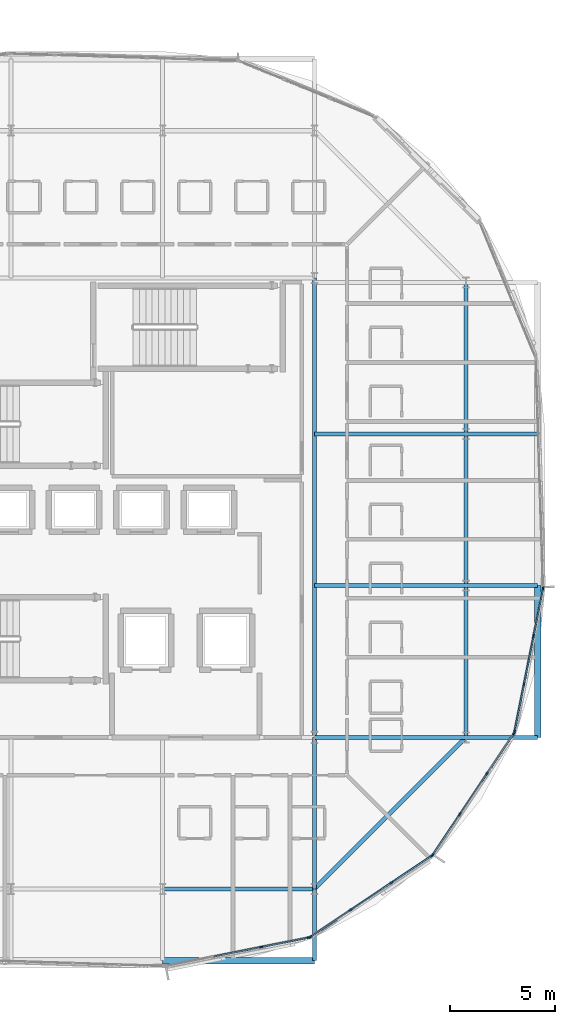
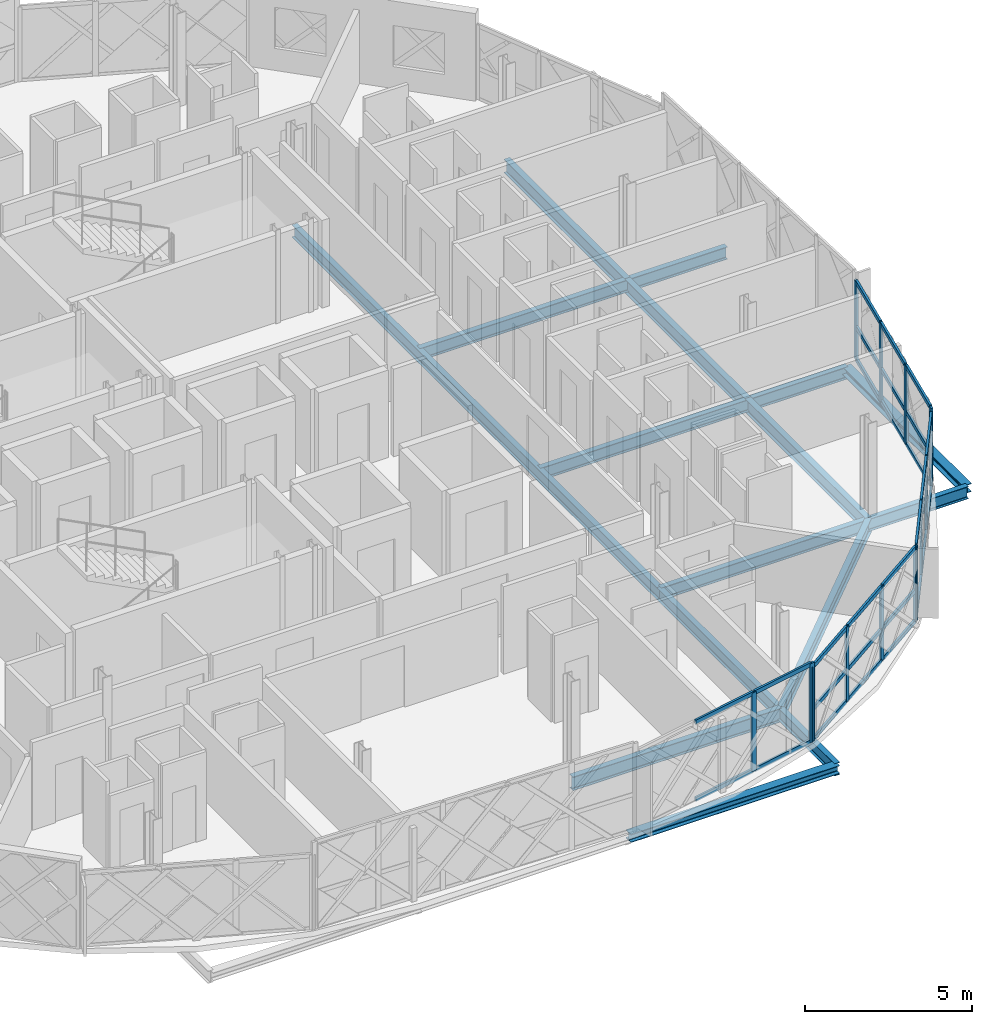
# One storey, part 8 of 26: 42 members, 16 beams, 4 elements without a shape of their own.
"""IFC4 building model written with IfcOpenShell, lengths in metres."""

from ifc_helpers import new_model, si_unit, direction, frame, origin, origin_2d, place, context, subcontext, project, spatial, rectangle, i_section, extrude, material, layer, layer_set, material_profile, profile_set, type_object, element, aggregate, save


model = new_model("IFC4")

# Units and contexts
model_context = context("Model", 3, precision=1e-05, world=origin(), true_north=direction((0.0, 1.0)))
body_context = subcontext(model_context, "Body", "Model", "MODEL_VIEW")
ifc_project = project(units=[si_unit("LENGTHUNIT", "METRE"), si_unit("AREAUNIT", "SQUARE_METRE"), si_unit("VOLUMEUNIT", "CUBIC_METRE"), si_unit("PLANEANGLEUNIT", "RADIAN"), si_unit("MASSUNIT", "GRAM", prefix="KILO")], contexts=[model_context])

# Site, building, storey
site_placement = place(None, origin())
site = spatial("IfcSite", under=ifc_project, at=site_placement, CompositionType="ELEMENT")
building_placement = place(site_placement, origin())
building = spatial("IfcBuilding", under=site, at=building_placement, Name="Zevrakil Square Congress Hotel", CompositionType="ELEMENT")
storey_placement = place(building_placement, frame((0.0, 0.0, 24.89990234375)))
storey = spatial("IfcBuildingStorey", under=building, at=storey_placement, Name="L07", CompositionType="ELEMENT", Elevation=24.89990234375)

# Beams
ifc_material_1 = material(Name="Steel S355", Category="steel")
ifc_material_profile_1 = material_profile(ifc_material_1, i_section(OverallWidth=0.18994140625, OverallDepth=0.449951171875, WebThickness=0.009521484375, FlangeThickness=0.0146484375, FilletRadius=0.02099609375, at=origin_2d()), Name="IPE 450")
ifc_profile_set_1 = profile_set([ifc_material_profile_1], Name="Steel S355")
beam_type_1 = type_object("IfcBeamType", Name="BM-IPE450", PredefinedType="BEAM", material=ifc_profile_set_1)
beam_1_placement = place(storey_placement, frame((156.0, 16.800048828125, -0.429931640625), z_axis=(0.0, 1.0, 0.0), x_axis=(-1.0, 0.0, 0.0)))
element("IfcBeam", 1, at=beam_1_placement, inside=storey, type_object=beam_type_1, Name="L07 drum core perimeter tie beam DCB-02", PredefinedType="BEAM", context=body_context, shape_type="SweptSolid", body=[
    extrude(i_section(OverallWidth=0.18994140625, OverallDepth=0.449951171875, WebThickness=0.009521484375, FlangeThickness=0.0146484375, FilletRadius=0.02099609375, at=origin_2d()), origin(), (0.0, 0.0, 1.0), 21.800048828125),
])
beam_2_placement = place(storey_placement, frame((156.0, 16.800048828125, -0.429931640625), z_axis=(0.0, -1.0, 0.0), x_axis=(1.0, 0.0, 0.0)))
element("IfcBeam", 2, at=beam_2_placement, inside=storey, type_object=beam_type_1, Name="L07 drum radial floor beam DRI-04", PredefinedType="BEAM", context=body_context, shape_type="SweptSolid", body=[
    extrude(i_section(OverallWidth=0.18994140625, OverallDepth=0.449951171875, WebThickness=0.009521484375, FlangeThickness=0.0146484375, FilletRadius=0.02099609375, at=origin_2d()), origin(), (0.0, 0.0, 1.0), 7.199951171875),
])
beam_3_placement = place(storey_placement, frame((156.0, 9.60009765625, -0.429931640625), z_axis=(0.0, -1.0, 0.0), x_axis=(1.0, 0.0, 0.0)))
element("IfcBeam", 3, at=beam_3_placement, inside=storey, type_object=beam_type_1, Name="L07 drum radial edge cantilever beam DRO-04", PredefinedType="BEAM", context=body_context, shape_type="SweptSolid", body=[
    extrude(i_section(OverallWidth=0.18994140625, OverallDepth=0.449951171875, WebThickness=0.009521484375, FlangeThickness=0.0146484375, FilletRadius=0.02099609375, at=origin_2d()), origin(), (0.0, 0.0, 1.0), 3.400146484375),
])
beam_4_placement = place(storey_placement, frame((156.0, 16.800048828125, -0.429931640625), z_axis=(1.0, 0.0, 0.0), x_axis=(0.0, 1.0, 0.0)))
element("IfcBeam", 4, at=beam_4_placement, inside=storey, type_object=beam_type_1, Name="L07 drum radial floor beam DRI-05", PredefinedType="BEAM", context=body_context, shape_type="SweptSolid", body=[
    extrude(i_section(OverallWidth=0.18994140625, OverallDepth=0.449951171875, WebThickness=0.009521484375, FlangeThickness=0.0146484375, FilletRadius=0.02099609375, at=origin_2d()), origin(), (0.0, 0.0, 1.0), 7.199951171875),
])
beam_5_placement = place(storey_placement, frame((163.199951171875, 16.800048828125, -0.429931640625), z_axis=(1.0, 0.0, 0.0), x_axis=(0.0, 1.0, 0.0)))
element("IfcBeam", 5, at=beam_5_placement, inside=storey, type_object=beam_type_1, Name="L07 drum radial edge cantilever beam DRO-05", PredefinedType="BEAM", context=body_context, shape_type="SweptSolid", body=[
    extrude(i_section(OverallWidth=0.18994140625, OverallDepth=0.449951171875, WebThickness=0.009521484375, FlangeThickness=0.0146484375, FilletRadius=0.02099609375, at=origin_2d()), origin(), (0.0, 0.0, 1.0), 3.400146484375),
])
beam_6_placement = place(storey_placement, frame((156.0, 24.0, -0.429931640625), z_axis=(1.0, 0.0, 0.0), x_axis=(0.0, 1.0, 0.0)))
element("IfcBeam", 6, at=beam_6_placement, inside=storey, type_object=beam_type_1, Name="L07 drum radial floor beam DRI-06", PredefinedType="BEAM", context=body_context, shape_type="SweptSolid", body=[
    extrude(i_section(OverallWidth=0.18994140625, OverallDepth=0.449951171875, WebThickness=0.009521484375, FlangeThickness=0.0146484375, FilletRadius=0.02099609375, at=origin_2d()), origin(), (0.0, 0.0, 1.0), 7.199951171875),
])
beam_7_placement = place(storey_placement, frame((163.199951171875, 24.0, -0.429931640625), z_axis=(1.0, 0.0, 0.0), x_axis=(0.0, 1.0, 0.0)))
element("IfcBeam", 7, at=beam_7_placement, inside=storey, type_object=beam_type_1, Name="L07 drum radial edge cantilever beam DRO-06", PredefinedType="BEAM", context=body_context, shape_type="SweptSolid", body=[
    extrude(i_section(OverallWidth=0.18994140625, OverallDepth=0.449951171875, WebThickness=0.009521484375, FlangeThickness=0.0146484375, FilletRadius=0.02099609375, at=origin_2d()), origin(), (0.0, 0.0, 1.0), 3.400146484375),
])
beam_8_placement = place(storey_placement, frame((156.0, 31.199951171875, -0.429931640625), z_axis=(1.0, 0.0, 0.0), x_axis=(0.0, 1.0, 0.0)))
element("IfcBeam", 8, at=beam_8_placement, inside=storey, type_object=beam_type_1, Name="L07 drum radial floor beam DRI-07", PredefinedType="BEAM", context=body_context, shape_type="SweptSolid", body=[
    extrude(i_section(OverallWidth=0.18994140625, OverallDepth=0.449951171875, WebThickness=0.009521484375, FlangeThickness=0.0146484375, FilletRadius=0.02099609375, at=origin_2d()), origin(), (0.0, 0.0, 1.0), 7.199951171875),
])
beam_9_placement = place(storey_placement, frame((163.199951171875, 31.199951171875, -0.429931640625), z_axis=(1.0, 0.0, 0.0), x_axis=(0.0, 1.0, 0.0)))
element("IfcBeam", 9, at=beam_9_placement, inside=storey, type_object=beam_type_1, Name="L07 drum radial edge cantilever beam DRO-07", PredefinedType="BEAM", context=body_context, shape_type="SweptSolid", body=[
    extrude(i_section(OverallWidth=0.18994140625, OverallDepth=0.449951171875, WebThickness=0.009521484375, FlangeThickness=0.0146484375, FilletRadius=0.02099609375, at=origin_2d()), origin(), (0.0, 0.0, 1.0), 3.400146484375),
])
ifc_material_2 = material(Name="Steel S355", Category="steel")
ifc_material_profile_2 = material_profile(ifc_material_2, i_section(OverallWidth=0.199951171875, OverallDepth=0.5, WebThickness=0.01025390625, FlangeThickness=0.01611328125, FilletRadius=0.02099609375, at=origin_2d()), Name="IPE 500")
ifc_profile_set_2 = profile_set([ifc_material_profile_2], Name="Steel S355")
beam_type_2 = type_object("IfcBeamType", Name="BM-IPE500", PredefinedType="BEAM", material=ifc_profile_set_2)
beam_10_placement = place(storey_placement, frame((148.800048828125, 9.60009765625, -0.454833984375), z_axis=(1.0, 0.0, 0.0), x_axis=(0.0, 1.0, 0.0)))
element("IfcBeam", 10, at=beam_10_placement, inside=storey, type_object=beam_type_2, Name="L07 drum ring girder DRB-03", PredefinedType="BEAM", context=body_context, shape_type="SweptSolid", body=[
    extrude(i_section(OverallWidth=0.199951171875, OverallDepth=0.5, WebThickness=0.01025390625, FlangeThickness=0.01611328125, FilletRadius=0.02099609375, at=origin_2d()), origin(), (0.0, 0.0, 1.0), 7.199951171875),
])
beam_11_placement = place(storey_placement, frame((156.0, 9.60009765625, -0.454833984375), z_axis=(0.707106781187, 0.707106781187, 0.0), x_axis=(-0.707106781187, 0.707106781187, 0.0)))
element("IfcBeam", 11, at=beam_11_placement, inside=storey, type_object=beam_type_2, Name="L07 drum ring girder DRB-04", PredefinedType="BEAM", context=body_context, shape_type="SweptSolid", body=[
    extrude(i_section(OverallWidth=0.199951171875, OverallDepth=0.5, WebThickness=0.01025390625, FlangeThickness=0.01611328125, FilletRadius=0.02099609375, at=origin_2d()), origin(), (0.0, 0.0, 1.0), 10.182373046875),
])
for number, where, z_axis, x_axis, name in (
    (12, (163.199951171875, 16.800048828125, -0.454833984375), (0.0, 1.0, 0.0), (-1.0, 0.0, 0.0), "L07 drum ring girder DRB-05"),
    (13, (163.199951171875, 24.0, -0.454833984375), (0.0, 1.0, 0.0), (-1.0, 0.0, 0.0), "L07 drum ring girder DRB-06"),
    (14, (163.199951171875, 31.199951171875, -0.454833984375), (0.0, 1.0, 0.0), (-1.0, 0.0, 0.0), "L07 drum ring girder DRB-07"),
):
    element("IfcBeam", number, at=place(storey_placement, frame(where, z_axis=z_axis, x_axis=x_axis)), inside=storey, type_object=beam_type_2, Name=name, PredefinedType="BEAM", context=body_context, shape_type="SweptSolid", body=[
        extrude(i_section(OverallWidth=0.199951171875, OverallDepth=0.5, WebThickness=0.01025390625, FlangeThickness=0.01611328125, FilletRadius=0.02099609375, at=origin_2d()), origin(), (0.0, 0.0, 1.0), 7.199951171875),
    ])

# Curtain wall, members
ifc_material_3 = material(Name="Aluminium Anodised Bronze", Category="aluminium")
ifc_layer = layer(ifc_material_3, 0.179931640625)
ifc_layer_set = layer_set([ifc_layer], Name="Aluminium Anodised Bronze")
curtain_wall_type = type_object("IfcCurtainWallType", Name="CW-L07-720", PredefinedType="USERDEFINED", material=ifc_layer_set)
curtain_wall_1_placement = place(storey_placement, origin())
curtain_wall_1 = element("IfcCurtainWall", 15, at=curtain_wall_1_placement, inside=storey, type_object=curtain_wall_type, Name="L07 diamond curtain wall CW-L07-0219", ObjectType="GLAZED CURTAIN WALL", PredefinedType="USERDEFINED")
ifc_material_4 = material(Name="Aluminium Anodised Bronze", Category="aluminium")
ifc_material_profile_3 = material_profile(ifc_material_4, rectangle(XDim=0.074951171875, YDim=0.14990234375, at=origin_2d()), Name="ALU 75x150")
ifc_profile_set_3 = profile_set([ifc_material_profile_3], Name="Aluminium Anodised Bronze")
member_type_1 = type_object("IfcMemberType", Name="CWM-ALU75x150", PredefinedType="USERDEFINED", material=ifc_profile_set_3)
member_1_placement = place(storey_placement, frame((151.224853515625, 6.4013671875, 0.030029296875), z_axis=(0.980786492568, 0.195084227953, 0.0), x_axis=(-0.195084227953, 0.980786492568, 0.0)))
member_1 = element("IfcMember", 16, at=member_1_placement, type_object=member_type_1, Name="CW-82 transom 2.1", ObjectType="TRANSOM", PredefinedType="USERDEFINED", context=body_context, shape_type="SweptSolid", body=[
    extrude(rectangle(XDim=0.074951171875, YDim=0.14990234375, at=origin_2d()), origin(), (0.0, 0.0, 1.0), 2.275146484375),
])
member_2_placement = place(storey_placement, frame((151.224853515625, 6.4013671875, 2.84521484375), z_axis=(0.980786492568, 0.195084227953, 0.0), x_axis=(-0.195084227953, 0.980786492568, 0.0)))
member_2 = element("IfcMember", 17, at=member_2_placement, type_object=member_type_1, Name="CW-82 transom 2.2", ObjectType="TRANSOM", PredefinedType="USERDEFINED", context=body_context, shape_type="SweptSolid", body=[
    extrude(rectangle(XDim=0.074951171875, YDim=0.14990234375, at=origin_2d()), origin(), (0.0, 0.0, 1.0), 2.275146484375),
])
member_3_placement = place(storey_placement, frame((153.51513671875, 6.85693359375, 0.030029296875), z_axis=(0.98078922397, 0.195070495322, 0.0), x_axis=(-0.195070495322, 0.98078922397, 0.0)))
member_3 = element("IfcMember", 18, at=member_3_placement, type_object=member_type_1, Name="CW-82 transom 3.1", ObjectType="TRANSOM", PredefinedType="USERDEFINED", context=body_context, shape_type="SweptSolid", body=[
    extrude(rectangle(XDim=0.074951171875, YDim=0.14990234375, at=origin_2d()), origin(), (0.0, 0.0, 1.0), 2.245361328125),
])
member_4_placement = place(storey_placement, frame((153.51513671875, 6.85693359375, 2.84521484375), z_axis=(0.98078922397, 0.195070495322, 0.0), x_axis=(-0.195070495322, 0.98078922397, 0.0)))
member_4 = element("IfcMember", 19, at=member_4_placement, type_object=member_type_1, Name="CW-82 transom 3.2", ObjectType="TRANSOM", PredefinedType="USERDEFINED", context=body_context, shape_type="SweptSolid", body=[
    extrude(rectangle(XDim=0.074951171875, YDim=0.14990234375, at=origin_2d()), origin(), (0.0, 0.0, 1.0), 2.245361328125),
])

curtain_wall_2_placement = place(storey_placement, origin())
curtain_wall_2 = element("IfcCurtainWall", 20, at=curtain_wall_2_placement, inside=storey, type_object=curtain_wall_type, Name="L07 diamond curtain wall CW-L07-0220", ObjectType="GLAZED CURTAIN WALL", PredefinedType="USERDEFINED")
member_5_placement = place(storey_placement, frame((155.825927734375, 7.340087890625, 0.030029296875), z_axis=(0.831497842201, 0.555527981667, 0.0), x_axis=(-0.555527981667, 0.831497842201, 0.0)))
member_5 = element("IfcMember", 21, at=member_5_placement, type_object=member_type_1, Name="CW-82 transom 1.1", ObjectType="TRANSOM", PredefinedType="USERDEFINED", context=body_context, shape_type="SweptSolid", body=[
    extrude(rectangle(XDim=0.074951171875, YDim=0.14990234375, at=origin_2d()), origin(), (0.0, 0.0, 1.0), 2.245361328125),
])
member_6_placement = place(storey_placement, frame((155.825927734375, 7.340087890625, 1.14453125), z_axis=(0.831497842201, 0.555527981667, 0.0), x_axis=(-0.555527981667, 0.831497842201, 0.0)))
member_6 = element("IfcMember", 22, at=member_6_placement, type_object=member_type_1, Name="CW-82 transom 1.2", ObjectType="TRANSOM", PredefinedType="USERDEFINED", context=body_context, shape_type="SweptSolid", body=[
    extrude(rectangle(XDim=0.074951171875, YDim=0.14990234375, at=origin_2d()), origin(), (0.0, 0.0, 1.0), 2.245361328125),
])
member_7_placement = place(storey_placement, frame((155.825927734375, 7.340087890625, 2.695068359375), z_axis=(0.831497842201, 0.555527981667, 0.0), x_axis=(-0.555527981667, 0.831497842201, 0.0)))
member_7 = element("IfcMember", 23, at=member_7_placement, type_object=member_type_1, Name="CW-82 transom 1.3", ObjectType="TRANSOM", PredefinedType="USERDEFINED", context=body_context, shape_type="SweptSolid", body=[
    extrude(rectangle(XDim=0.074951171875, YDim=0.14990234375, at=origin_2d()), origin(), (0.0, 0.0, 1.0), 2.245361328125),
])
member_8_placement = place(storey_placement, frame((157.74267578125, 8.620849609375, 0.030029296875), z_axis=(0.831505114703, 0.555517096247, 0.0), x_axis=(-0.555517096247, 0.831505114703, 0.0)))
member_8 = element("IfcMember", 24, at=member_8_placement, type_object=member_type_1, Name="CW-82 transom 2.1", ObjectType="TRANSOM", PredefinedType="USERDEFINED", context=body_context, shape_type="SweptSolid", body=[
    extrude(rectangle(XDim=0.074951171875, YDim=0.14990234375, at=origin_2d()), origin(), (0.0, 0.0, 1.0), 2.275146484375),
])
member_9_placement = place(storey_placement, frame((157.74267578125, 8.620849609375, 1.14453125), z_axis=(0.831505114703, 0.555517096247, 0.0), x_axis=(-0.555517096247, 0.831505114703, 0.0)))
member_9 = element("IfcMember", 25, at=member_9_placement, type_object=member_type_1, Name="CW-82 transom 2.2", ObjectType="TRANSOM", PredefinedType="USERDEFINED", context=body_context, shape_type="SweptSolid", body=[
    extrude(rectangle(XDim=0.074951171875, YDim=0.14990234375, at=origin_2d()), origin(), (0.0, 0.0, 1.0), 2.275146484375),
])
member_10_placement = place(storey_placement, frame((157.74267578125, 8.620849609375, 2.695068359375), z_axis=(0.831505114703, 0.555517096247, 0.0), x_axis=(-0.555517096247, 0.831505114703, 0.0)))
member_10 = element("IfcMember", 26, at=member_10_placement, type_object=member_type_1, Name="CW-82 transom 2.3", ObjectType="TRANSOM", PredefinedType="USERDEFINED", context=body_context, shape_type="SweptSolid", body=[
    extrude(rectangle(XDim=0.074951171875, YDim=0.14990234375, at=origin_2d()), origin(), (0.0, 0.0, 1.0), 2.275146484375),
])
member_11_placement = place(storey_placement, frame((159.684326171875, 9.918212890625, 0.030029296875), z_axis=(0.831497842201, 0.555527981667, 0.0), x_axis=(-0.555527981667, 0.831497842201, 0.0)))
member_11 = element("IfcMember", 27, at=member_11_placement, type_object=member_type_1, Name="CW-82 transom 3.1", ObjectType="TRANSOM", PredefinedType="USERDEFINED", context=body_context, shape_type="SweptSolid", body=[
    extrude(rectangle(XDim=0.074951171875, YDim=0.14990234375, at=origin_2d()), origin(), (0.0, 0.0, 1.0), 2.245361328125),
])
member_12_placement = place(storey_placement, frame((159.684326171875, 9.918212890625, 1.14453125), z_axis=(0.831497842201, 0.555527981667, 0.0), x_axis=(-0.555527981667, 0.831497842201, 0.0)))
member_12 = element("IfcMember", 28, at=member_12_placement, type_object=member_type_1, Name="CW-82 transom 3.2", ObjectType="TRANSOM", PredefinedType="USERDEFINED", context=body_context, shape_type="SweptSolid", body=[
    extrude(rectangle(XDim=0.074951171875, YDim=0.14990234375, at=origin_2d()), origin(), (0.0, 0.0, 1.0), 2.245361328125),
])
member_13_placement = place(storey_placement, frame((159.684326171875, 9.918212890625, 2.695068359375), z_axis=(0.831497842201, 0.555527981667, 0.0), x_axis=(-0.555527981667, 0.831497842201, 0.0)))
member_13 = element("IfcMember", 29, at=member_13_placement, type_object=member_type_1, Name="CW-82 transom 3.3", ObjectType="TRANSOM", PredefinedType="USERDEFINED", context=body_context, shape_type="SweptSolid", body=[
    extrude(rectangle(XDim=0.074951171875, YDim=0.14990234375, at=origin_2d()), origin(), (0.0, 0.0, 1.0), 2.245361328125),
])

curtain_wall_3_placement = place(storey_placement, origin())
curtain_wall_3 = element("IfcCurtainWall", 30, at=curtain_wall_3_placement, inside=storey, type_object=curtain_wall_type, Name="L07 diamond curtain wall CW-L07-0221", ObjectType="GLAZED CURTAIN WALL", PredefinedType="USERDEFINED")
member_14_placement = place(storey_placement, frame((161.634521484375, 11.248779296875, 0.030029296875), z_axis=(0.555527981667, 0.831497842201, 0.0), x_axis=(-0.831497842201, 0.555527981667, 0.0)))
member_14 = element("IfcMember", 31, at=member_14_placement, type_object=member_type_1, Name="CW-82 transom 1.1", ObjectType="TRANSOM", PredefinedType="USERDEFINED", context=body_context, shape_type="SweptSolid", body=[
    extrude(rectangle(XDim=0.074951171875, YDim=0.14990234375, at=origin_2d()), origin(), (0.0, 0.0, 1.0), 2.245361328125),
])
member_15_placement = place(storey_placement, frame((161.634521484375, 11.248779296875, 2.695068359375), z_axis=(0.555527981667, 0.831497842201, 0.0), x_axis=(-0.831497842201, 0.555527981667, 0.0)))
member_15 = element("IfcMember", 32, at=member_15_placement, type_object=member_type_1, Name="CW-82 transom 1.2", ObjectType="TRANSOM", PredefinedType="USERDEFINED", context=body_context, shape_type="SweptSolid", body=[
    extrude(rectangle(XDim=0.074951171875, YDim=0.14990234375, at=origin_2d()), origin(), (0.0, 0.0, 1.0), 2.245361328125),
])
member_16_placement = place(storey_placement, frame((162.915283203125, 13.16552734375, 0.030029296875), z_axis=(0.555517096247, 0.831505114703, 0.0), x_axis=(-0.831505114703, 0.555517096247, 0.0)))
member_16 = element("IfcMember", 33, at=member_16_placement, type_object=member_type_1, Name="CW-82 transom 2.1", ObjectType="TRANSOM", PredefinedType="USERDEFINED", context=body_context, shape_type="SweptSolid", body=[
    extrude(rectangle(XDim=0.074951171875, YDim=0.14990234375, at=origin_2d()), origin(), (0.0, 0.0, 1.0), 2.275146484375),
])
member_17_placement = place(storey_placement, frame((162.915283203125, 13.16552734375, 2.695068359375), z_axis=(0.555517096247, 0.831505114703, 0.0), x_axis=(-0.831505114703, 0.555517096247, 0.0)))
member_17 = element("IfcMember", 34, at=member_17_placement, type_object=member_type_1, Name="CW-82 transom 2.2", ObjectType="TRANSOM", PredefinedType="USERDEFINED", context=body_context, shape_type="SweptSolid", body=[
    extrude(rectangle(XDim=0.074951171875, YDim=0.14990234375, at=origin_2d()), origin(), (0.0, 0.0, 1.0), 2.275146484375),
])
member_18_placement = place(storey_placement, frame((164.212646484375, 15.107177734375, 0.030029296875), z_axis=(0.555527981667, 0.831497842201, 0.0), x_axis=(-0.831497842201, 0.555527981667, 0.0)))
member_18 = element("IfcMember", 35, at=member_18_placement, type_object=member_type_1, Name="CW-82 transom 3.1", ObjectType="TRANSOM", PredefinedType="USERDEFINED", context=body_context, shape_type="SweptSolid", body=[
    extrude(rectangle(XDim=0.074951171875, YDim=0.14990234375, at=origin_2d()), origin(), (0.0, 0.0, 1.0), 2.245361328125),
])
member_19_placement = place(storey_placement, frame((164.212646484375, 15.107177734375, 2.695068359375), z_axis=(0.555527981667, 0.831497842201, 0.0), x_axis=(-0.831497842201, 0.555527981667, 0.0)))
member_19 = element("IfcMember", 36, at=member_19_placement, type_object=member_type_1, Name="CW-82 transom 3.2", ObjectType="TRANSOM", PredefinedType="USERDEFINED", context=body_context, shape_type="SweptSolid", body=[
    extrude(rectangle(XDim=0.074951171875, YDim=0.14990234375, at=origin_2d()), origin(), (0.0, 0.0, 1.0), 2.245361328125),
])

curtain_wall_4_placement = place(storey_placement, origin())
curtain_wall_4 = element("IfcCurtainWall", 37, at=curtain_wall_4_placement, inside=storey, type_object=curtain_wall_type, Name="L07 diamond curtain wall CW-L07-0222", ObjectType="GLAZED CURTAIN WALL", PredefinedType="USERDEFINED")
member_20_placement = place(storey_placement, frame((165.505126953125, 17.082763671875, 0.030029296875), z_axis=(0.195070495322, 0.98078922397, 0.0), x_axis=(-0.98078922397, 0.195070495322, 0.0)))
member_20 = element("IfcMember", 38, at=member_20_placement, type_object=member_type_1, Name="CW-82 transom 1.1", ObjectType="TRANSOM", PredefinedType="USERDEFINED", context=body_context, shape_type="SweptSolid", body=[
    extrude(rectangle(XDim=0.074951171875, YDim=0.14990234375, at=origin_2d()), origin(), (0.0, 0.0, 1.0), 2.245361328125),
])
member_21_placement = place(storey_placement, frame((165.505126953125, 17.082763671875, 1.20751953125), z_axis=(0.195070495322, 0.98078922397, 0.0), x_axis=(-0.98078922397, 0.195070495322, 0.0)))
member_21 = element("IfcMember", 39, at=member_21_placement, type_object=member_type_1, Name="CW-82 transom 1.2", ObjectType="TRANSOM", PredefinedType="USERDEFINED", context=body_context, shape_type="SweptSolid", body=[
    extrude(rectangle(XDim=0.074951171875, YDim=0.14990234375, at=origin_2d()), origin(), (0.0, 0.0, 1.0), 2.245361328125),
])
member_22_placement = place(storey_placement, frame((165.505126953125, 17.082763671875, 2.84521484375), z_axis=(0.195070495322, 0.98078922397, 0.0), x_axis=(-0.98078922397, 0.195070495322, 0.0)))
member_22 = element("IfcMember", 40, at=member_22_placement, type_object=member_type_1, Name="CW-82 transom 1.3", ObjectType="TRANSOM", PredefinedType="USERDEFINED", context=body_context, shape_type="SweptSolid", body=[
    extrude(rectangle(XDim=0.074951171875, YDim=0.14990234375, at=origin_2d()), origin(), (0.0, 0.0, 1.0), 2.245361328125),
])
member_23_placement = place(storey_placement, frame((165.954833984375, 19.34375, 0.030029296875), z_axis=(0.195084227953, 0.980786492568, 0.0), x_axis=(-0.980786492568, 0.195084227953, 0.0)))
member_23 = element("IfcMember", 41, at=member_23_placement, type_object=member_type_1, Name="CW-82 transom 2.1", ObjectType="TRANSOM", PredefinedType="USERDEFINED", context=body_context, shape_type="SweptSolid", body=[
    extrude(rectangle(XDim=0.074951171875, YDim=0.14990234375, at=origin_2d()), origin(), (0.0, 0.0, 1.0), 2.275146484375),
])
member_24_placement = place(storey_placement, frame((165.954833984375, 19.34375, 1.20751953125), z_axis=(0.195084227953, 0.980786492568, 0.0), x_axis=(-0.980786492568, 0.195084227953, 0.0)))
member_24 = element("IfcMember", 42, at=member_24_placement, type_object=member_type_1, Name="CW-82 transom 2.2", ObjectType="TRANSOM", PredefinedType="USERDEFINED", context=body_context, shape_type="SweptSolid", body=[
    extrude(rectangle(XDim=0.074951171875, YDim=0.14990234375, at=origin_2d()), origin(), (0.0, 0.0, 1.0), 2.275146484375),
])
member_25_placement = place(storey_placement, frame((165.954833984375, 19.34375, 2.84521484375), z_axis=(0.195084227953, 0.980786492568, 0.0), x_axis=(-0.980786492568, 0.195084227953, 0.0)))
member_25 = element("IfcMember", 43, at=member_25_placement, type_object=member_type_1, Name="CW-82 transom 2.3", ObjectType="TRANSOM", PredefinedType="USERDEFINED", context=body_context, shape_type="SweptSolid", body=[
    extrude(rectangle(XDim=0.074951171875, YDim=0.14990234375, at=origin_2d()), origin(), (0.0, 0.0, 1.0), 2.275146484375),
])
member_26_placement = place(storey_placement, frame((166.410400390625, 21.634033203125, 0.030029296875), z_axis=(0.195070495322, 0.98078922397, 0.0), x_axis=(-0.98078922397, 0.195070495322, 0.0)))
member_26 = element("IfcMember", 44, at=member_26_placement, type_object=member_type_1, Name="CW-82 transom 3.1", ObjectType="TRANSOM", PredefinedType="USERDEFINED", context=body_context, shape_type="SweptSolid", body=[
    extrude(rectangle(XDim=0.074951171875, YDim=0.14990234375, at=origin_2d()), origin(), (0.0, 0.0, 1.0), 2.245361328125),
])
member_27_placement = place(storey_placement, frame((166.410400390625, 21.634033203125, 1.20751953125), z_axis=(0.195070495322, 0.98078922397, 0.0), x_axis=(-0.98078922397, 0.195070495322, 0.0)))
member_27 = element("IfcMember", 45, at=member_27_placement, type_object=member_type_1, Name="CW-82 transom 3.2", ObjectType="TRANSOM", PredefinedType="USERDEFINED", context=body_context, shape_type="SweptSolid", body=[
    extrude(rectangle(XDim=0.074951171875, YDim=0.14990234375, at=origin_2d()), origin(), (0.0, 0.0, 1.0), 2.245361328125),
])
member_28_placement = place(storey_placement, frame((166.410400390625, 21.634033203125, 2.84521484375), z_axis=(0.195070495322, 0.98078922397, 0.0), x_axis=(-0.98078922397, 0.195070495322, 0.0)))
member_28 = element("IfcMember", 46, at=member_28_placement, type_object=member_type_1, Name="CW-82 transom 3.3", ObjectType="TRANSOM", PredefinedType="USERDEFINED", context=body_context, shape_type="SweptSolid", body=[
    extrude(rectangle(XDim=0.074951171875, YDim=0.14990234375, at=origin_2d()), origin(), (0.0, 0.0, 1.0), 2.245361328125),
])

# Member
ifc_material_5 = material(Name="Aluminium Anodised Bronze", Category="aluminium")
ifc_material_profile_4 = material_profile(ifc_material_5, rectangle(XDim=0.074951171875, YDim=0.179931640625, at=origin_2d()), Name="ALU 75x180")
ifc_profile_set_4 = profile_set([ifc_material_profile_4], Name="Aluminium Anodised Bronze")
member_type_2 = type_object("IfcMemberType", Name="CWM-ALU75x180", PredefinedType="MULLION", material=ifc_profile_set_4)
member_29_placement = place(storey_placement, frame((153.48583984375, 6.85107421875, 0.0), z_axis=(0.0, 0.0, 1.0), x_axis=(-0.195083900459, 0.980786557708, 0.0)))
member_29 = element("IfcMember", 47, at=member_29_placement, type_object=member_type_2, Name="CW-82 mullion 3", PredefinedType="MULLION", context=body_context, shape_type="SweptSolid", body=[
    extrude(rectangle(XDim=0.074951171875, YDim=0.179931640625, at=origin_2d()), origin(), (0.0, 0.0, 1.0), 2.875),
])

member_30_placement = place(storey_placement, frame((155.74658203125, 7.30078125, 0.0), z_axis=(0.0, 0.0, 1.0), x_axis=(-0.195083900459, 0.980786557708, 0.0)))
member_30 = element("IfcMember", 48, at=member_30_placement, type_object=member_type_2, Name="CW-82 mullion 4", PredefinedType="MULLION", context=body_context, shape_type="SweptSolid", body=[
    extrude(rectangle(XDim=0.074951171875, YDim=0.179931640625, at=origin_2d()), origin(), (0.0, 0.0, 1.0), 2.875),
])

aggregate(curtain_wall_1, [member_29, member_30, member_1, member_2, member_3, member_4])

member_31_placement = place(storey_placement, frame((155.801025390625, 7.323486328125, 0.0), z_axis=(0.0, 0.0, 1.0), x_axis=(-0.555576098128, 0.831465693332, 0.0)))
member_31 = element("IfcMember", 49, at=member_31_placement, type_object=member_type_2, Name="CW-82 mullion 1", PredefinedType="MULLION", context=body_context, shape_type="SweptSolid", body=[
    extrude(rectangle(XDim=0.074951171875, YDim=0.179931640625, at=origin_2d()), origin(), (0.0, 0.0, 1.0), 2.72509765625),
])

member_32_placement = place(storey_placement, frame((157.7177734375, 8.60400390625, 0.0), z_axis=(0.0, 0.0, 1.0), x_axis=(-0.555576098128, 0.831465693332, 0.0)))
member_32 = element("IfcMember", 50, at=member_32_placement, type_object=member_type_2, Name="CW-82 mullion 2", PredefinedType="MULLION", context=body_context, shape_type="SweptSolid", body=[
    extrude(rectangle(XDim=0.074951171875, YDim=0.179931640625, at=origin_2d()), origin(), (0.0, 0.0, 1.0), 2.72509765625),
])

member_33_placement = place(storey_placement, frame((159.659423828125, 9.901611328125, 0.0), z_axis=(0.0, 0.0, 1.0), x_axis=(-0.555576098128, 0.831465693332, 0.0)))
member_33 = element("IfcMember", 51, at=member_33_placement, type_object=member_type_2, Name="CW-82 mullion 3", PredefinedType="MULLION", context=body_context, shape_type="SweptSolid", body=[
    extrude(rectangle(XDim=0.074951171875, YDim=0.179931640625, at=origin_2d()), origin(), (0.0, 0.0, 1.0), 2.72509765625),
])

member_34_placement = place(storey_placement, frame((161.576171875, 11.18212890625, 0.0), z_axis=(0.0, 0.0, 1.0), x_axis=(-0.555576098128, 0.831465693332, 0.0)))
member_34 = element("IfcMember", 52, at=member_34_placement, type_object=member_type_2, Name="CW-82 mullion 4", PredefinedType="MULLION", context=body_context, shape_type="SweptSolid", body=[
    extrude(rectangle(XDim=0.074951171875, YDim=0.179931640625, at=origin_2d()), origin(), (0.0, 0.0, 1.0), 2.72509765625),
])

aggregate(curtain_wall_2, [member_31, member_32, member_33, member_34, member_5, member_6, member_7, member_8, member_9, member_10, member_11, member_12, member_13])

member_35_placement = place(storey_placement, frame((161.61767578125, 11.223876953125, 0.0), z_axis=(0.0, 0.0, 1.0), x_axis=(-0.831465693332, 0.555576098128, 0.0)))
member_35 = element("IfcMember", 53, at=member_35_placement, type_object=member_type_2, Name="CW-82 mullion 1", PredefinedType="MULLION", context=body_context, shape_type="SweptSolid", body=[
    extrude(rectangle(XDim=0.074951171875, YDim=0.179931640625, at=origin_2d()), origin(), (0.0, 0.0, 1.0), 2.72509765625),
])

member_36_placement = place(storey_placement, frame((162.8984375, 13.140625, 0.0), z_axis=(0.0, 0.0, 1.0), x_axis=(-0.831465693332, 0.555576098128, 0.0)))
member_36 = element("IfcMember", 54, at=member_36_placement, type_object=member_type_2, Name="CW-82 mullion 2", PredefinedType="MULLION", context=body_context, shape_type="SweptSolid", body=[
    extrude(rectangle(XDim=0.074951171875, YDim=0.179931640625, at=origin_2d()), origin(), (0.0, 0.0, 1.0), 2.72509765625),
])

member_37_placement = place(storey_placement, frame((164.19580078125, 15.082275390625, 0.0), z_axis=(0.0, 0.0, 1.0), x_axis=(-0.831465693332, 0.555576098128, 0.0)))
member_37 = element("IfcMember", 55, at=member_37_placement, type_object=member_type_2, Name="CW-82 mullion 3", PredefinedType="MULLION", context=body_context, shape_type="SweptSolid", body=[
    extrude(rectangle(XDim=0.074951171875, YDim=0.179931640625, at=origin_2d()), origin(), (0.0, 0.0, 1.0), 2.72509765625),
])

member_38_placement = place(storey_placement, frame((165.4765625, 16.9990234375, 0.0), z_axis=(0.0, 0.0, 1.0), x_axis=(-0.831465693332, 0.555576098128, 0.0)))
member_38 = element("IfcMember", 56, at=member_38_placement, type_object=member_type_2, Name="CW-82 mullion 4", PredefinedType="MULLION", context=body_context, shape_type="SweptSolid", body=[
    extrude(rectangle(XDim=0.074951171875, YDim=0.179931640625, at=origin_2d()), origin(), (0.0, 0.0, 1.0), 2.72509765625),
])

aggregate(curtain_wall_3, [member_35, member_36, member_37, member_38, member_14, member_15, member_16, member_17, member_18, member_19])

member_39_placement = place(storey_placement, frame((165.499267578125, 17.05322265625, 0.0), z_axis=(0.0, 0.0, 1.0), x_axis=(-0.980786557708, 0.195083900459, 0.0)))
member_39 = element("IfcMember", 57, at=member_39_placement, type_object=member_type_2, Name="CW-82 mullion 1", PredefinedType="MULLION", context=body_context, shape_type="SweptSolid", body=[
    extrude(rectangle(XDim=0.074951171875, YDim=0.179931640625, at=origin_2d()), origin(), (0.0, 0.0, 1.0), 2.875),
])

member_40_placement = place(storey_placement, frame((165.948974609375, 19.314208984375, 0.0), z_axis=(0.0, 0.0, 1.0), x_axis=(-0.980786557708, 0.195083900459, 0.0)))
member_40 = element("IfcMember", 58, at=member_40_placement, type_object=member_type_2, Name="CW-82 mullion 2", PredefinedType="MULLION", context=body_context, shape_type="SweptSolid", body=[
    extrude(rectangle(XDim=0.074951171875, YDim=0.179931640625, at=origin_2d()), origin(), (0.0, 0.0, 1.0), 2.875),
])

member_41_placement = place(storey_placement, frame((166.404541015625, 21.604736328125, 0.0), z_axis=(0.0, 0.0, 1.0), x_axis=(-0.980786557708, 0.195083900459, 0.0)))
member_41 = element("IfcMember", 59, at=member_41_placement, type_object=member_type_2, Name="CW-82 mullion 3", PredefinedType="MULLION", context=body_context, shape_type="SweptSolid", body=[
    extrude(rectangle(XDim=0.074951171875, YDim=0.179931640625, at=origin_2d()), origin(), (0.0, 0.0, 1.0), 2.875),
])

member_42_placement = place(storey_placement, frame((166.854248046875, 23.865478515625, 0.0), z_axis=(0.0, 0.0, 1.0), x_axis=(-0.980786557708, 0.195083900459, 0.0)))
member_42 = element("IfcMember", 60, at=member_42_placement, type_object=member_type_2, Name="CW-82 mullion 4", PredefinedType="MULLION", context=body_context, shape_type="SweptSolid", body=[
    extrude(rectangle(XDim=0.074951171875, YDim=0.179931640625, at=origin_2d()), origin(), (0.0, 0.0, 1.0), 2.875),
])

aggregate(curtain_wall_4, [member_39, member_40, member_41, member_42, member_20, member_21, member_22, member_23, member_24, member_25, member_26, member_27, member_28])

# Beams
ifc_material_6 = material(Name="Steel S355", Category="steel")
ifc_material_profile_5 = material_profile(ifc_material_6, i_section(OverallWidth=0.300048828125, OverallDepth=0.300048828125, WebThickness=0.010986328125, FlangeThickness=0.01904296875, FilletRadius=0.027099609375, at=origin_2d()), Name="HEB 300")
ifc_profile_set_5 = profile_set([ifc_material_profile_5], Name="Steel S355")
beam_type_3 = type_object("IfcBeamType", Name="SPD-RHS250", PredefinedType="SPANDREL", material=ifc_profile_set_5)
for number, where, z_axis, x_axis, name in (
    (61, (148.800048828125, 6.199951171875, -0.35498046875), (1.0, 0.0, 0.0), (0.0, 1.0, 0.0), "L07 drum edge spandrel beam DSP-02"),
    (62, (166.60009765625, 16.800048828125, -0.35498046875), (0.0, 1.0, 0.0), (-1.0, 0.0, 0.0), "L07 drum edge spandrel beam DSP-04"),
):
    element("IfcBeam", number, at=place(storey_placement, frame(where, z_axis=z_axis, x_axis=x_axis)), inside=storey, type_object=beam_type_3, Name=name, PredefinedType="SPANDREL", context=body_context, shape_type="SweptSolid", body=[
        extrude(i_section(OverallWidth=0.300048828125, OverallDepth=0.300048828125, WebThickness=0.010986328125, FlangeThickness=0.01904296875, FilletRadius=0.027099609375, at=origin_2d()), origin(), (0.0, 0.0, 1.0), 7.199951171875),
    ])

save(model, "model.ifc")
